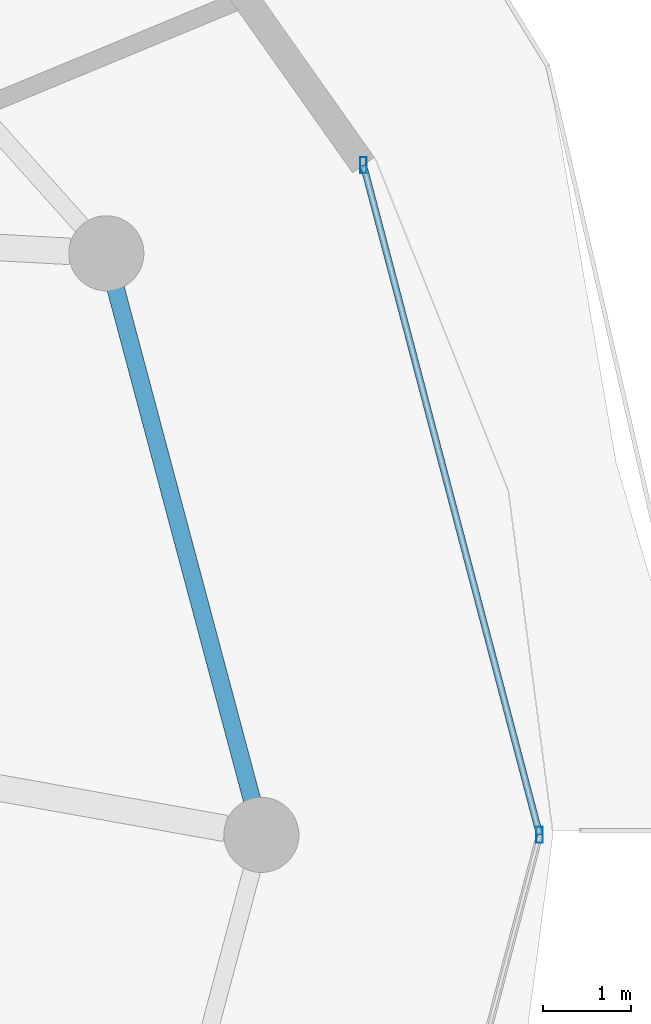
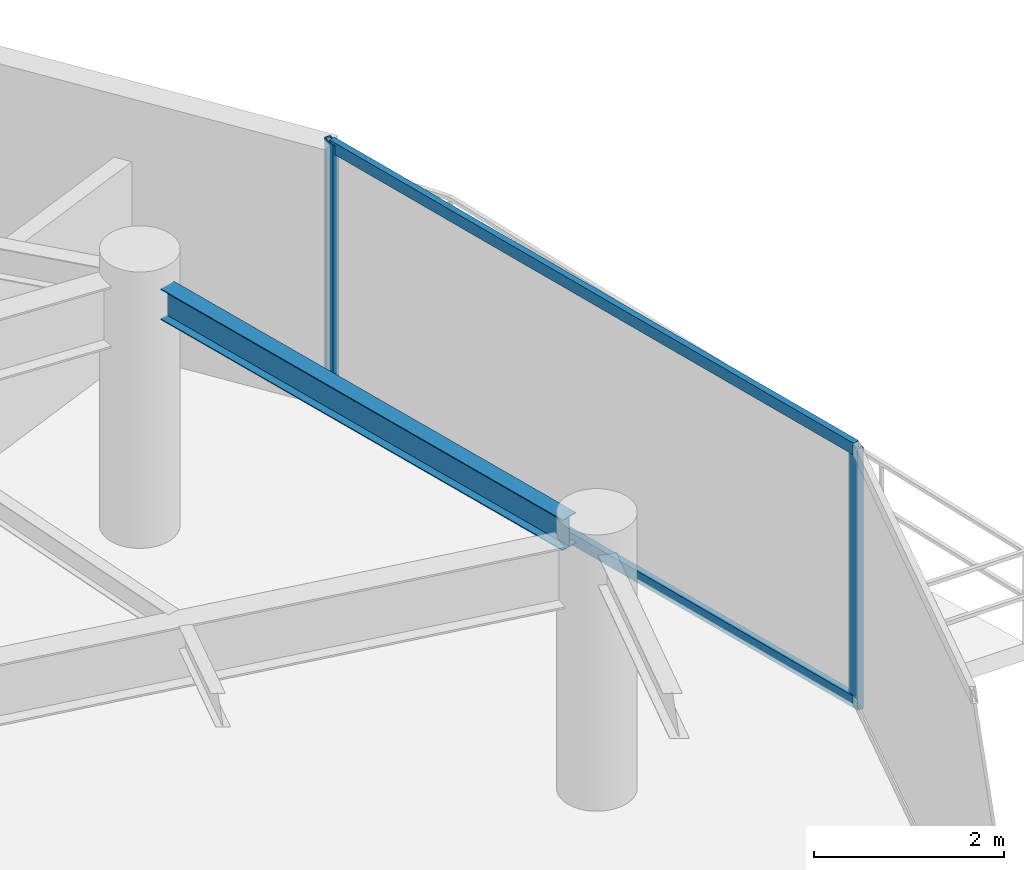
# One storey, part 15 of 31: 4 members, 1 beam, 1 element without a shape of its own.
"""IFC4 building model written with IfcOpenShell, lengths in metres."""

from ifc_helpers import new_model, si_unit, direction, frame, origin, origin_2d, place, context, subcontext, project, spatial, hollow_rectangle, i_section, extrude, material, material_profile, profile_set, type_object, element, aggregate, save


model = new_model("IFC4")

# Units and contexts
model_context = context("Model", 3, precision=1e-05, world=origin(), true_north=direction((0.0, 1.0)))
body_context = subcontext(model_context, "Body", "Model", "MODEL_VIEW")
ifc_project = project(units=[si_unit("LENGTHUNIT", "METRE"), si_unit("AREAUNIT", "SQUARE_METRE"), si_unit("VOLUMEUNIT", "CUBIC_METRE"), si_unit("PLANEANGLEUNIT", "RADIAN"), si_unit("MASSUNIT", "GRAM", prefix="KILO")], contexts=[model_context])

# Site, building, storey
site_placement = place(None, origin())
site = spatial("IfcSite", under=ifc_project, at=site_placement, CompositionType="ELEMENT")
building_placement = place(site_placement, origin())
building = spatial("IfcBuilding", under=site, at=building_placement, Name="Vorneva Point Tower", CompositionType="ELEMENT")
storey_placement = place(building_placement, frame((0.0, 0.0, 244.89990234375)))
storey = spatial("IfcBuildingStorey", under=building, at=storey_placement, Name="L66", CompositionType="ELEMENT", Elevation=244.89990234375)

# Beam
ifc_material_1 = material(Name="Steel S355", Category="steel")
ifc_material_profile_1 = material_profile(ifc_material_1, i_section(OverallWidth=0.198974609375, OverallDepth=0.39599609375, WebThickness=0.007080078125, FlangeThickness=0.010986328125, at=origin_2d()), Name="40B1")
ifc_profile_set_1 = profile_set([ifc_material_profile_1], Name="Steel S355")
beam_type = type_object("IfcBeamType", Name="BM-SPN-40B1", PredefinedType="SPANDREL", material=ifc_profile_set_1)
beam_placement = place(storey_placement, frame((60.9443359375, 26.396240234375, 3.092041015625), z_axis=(-0.257586570866, 0.966255224312, 0.0), x_axis=(-0.966255224312, -0.257586570866, 0.0)))
element("IfcBeam", 1, at=beam_placement, inside=storey, type_object=beam_type, Name="L66 Perimeter Spandrel Ring Beam 01", PredefinedType="SPANDREL", context=body_context, shape_type="SweptSolid", body=[
    extrude(i_section(OverallWidth=0.198974609375, OverallDepth=0.39599609375, WebThickness=0.007080078125, FlangeThickness=0.010986328125, at=origin_2d()), origin(), (0.0, 0.0, 1.0), 5.991943359375),
])

# Curtain wall, members
ifc_material_2 = material(Name="Pale anodised aluminium", Category="aluminium")
curtain_wall_type = type_object("IfcCurtainWallType", Name="CW-RES-SYS", PredefinedType="NOTDEFINED", material=ifc_material_2)
curtain_wall_placement = place(storey_placement, origin())
curtain_wall = element("IfcCurtainWall", 2, at=curtain_wall_placement, inside=storey, type_object=curtain_wall_type, Name="L66 Unitised Curtain Wall CW-L66-R01", PredefinedType="NOTDEFINED")
ifc_material_profile_2 = material_profile(ifc_material_2, hollow_rectangle(XDim=0.074951171875, YDim=0.179931640625, WallThickness=0.00390625, at=origin_2d()), Name="AL-MUL 180x75x4")
ifc_profile_set_2 = profile_set([ifc_material_profile_2], Name="Pale anodised aluminium")
member_type_1 = type_object("IfcMemberType", Name="CW-MUL-180", PredefinedType="MULLION", material=ifc_profile_set_2)
member_1_placement = place(storey_placement, frame((64.199951171875, 26.0, -0.039794921875), z_axis=(0.0, 0.0, 1.0), x_axis=(1.0, 0.0, 0.0)))
member_1 = element("IfcMember", 3, at=member_1_placement, type_object=member_type_1, Name="CW-L66-R01 Mullion 03", PredefinedType="MULLION", context=body_context, shape_type="SweptSolid", body=[
    extrude(hollow_rectangle(XDim=0.074951171875, YDim=0.179931640625, WallThickness=0.00390625, at=origin_2d()), origin(), (0.0, 0.0, 1.0), 3.35986328125),
])
member_2_placement = place(storey_placement, frame((62.20556640625, 33.5810546875, -0.039794921875), z_axis=(0.0, 0.0, 1.0), x_axis=(1.0, 0.0, 0.0)))
member_2 = element("IfcMember", 4, at=member_2_placement, type_object=member_type_1, Name="CW-L66-R01 Mullion 04", PredefinedType="MULLION", context=body_context, shape_type="SweptSolid", body=[
    extrude(hollow_rectangle(XDim=0.074951171875, YDim=0.179931640625, WallThickness=0.00390625, at=origin_2d()), origin(), (0.0, 0.0, 1.0), 3.35986328125),
])
ifc_material_profile_3 = material_profile(ifc_material_2, hollow_rectangle(XDim=0.074951171875, YDim=0.14990234375, WallThickness=0.00390625, at=origin_2d()), Name="AL-TRN 150x75x4")
ifc_profile_set_3 = profile_set([ifc_material_profile_3], Name="Pale anodised aluminium")
member_type_2 = type_object("IfcMemberType", Name="CW-TRN-150", PredefinedType="USERDEFINED", material=ifc_profile_set_3)
member_3_placement = place(storey_placement, frame((64.199951171875, 26.0, 0.02001953125), z_axis=(-0.254418180926, 0.967094302131, 0.0), x_axis=(-0.967094302131, -0.254418180926, 0.0)))
member_3 = element("IfcMember", 5, at=member_3_placement, type_object=member_type_2, Name="CW-L66-R01 Transom 03.1", ObjectType="TRANSOM", PredefinedType="USERDEFINED", context=body_context, shape_type="SweptSolid", body=[
    extrude(hollow_rectangle(XDim=0.074951171875, YDim=0.14990234375, WallThickness=0.00390625, at=origin_2d()), origin(), (0.0, 0.0, 1.0), 7.839111328125),
])
member_4_placement = place(storey_placement, frame((64.199951171875, 26.0, 3.27001953125), z_axis=(-0.254418180926, 0.967094302131, 0.0), x_axis=(-0.967094302131, -0.254418180926, 0.0)))
member_4 = element("IfcMember", 6, at=member_4_placement, type_object=member_type_2, Name="CW-L66-R01 Transom 03.2", ObjectType="TRANSOM", PredefinedType="USERDEFINED", context=body_context, shape_type="SweptSolid", body=[
    extrude(hollow_rectangle(XDim=0.074951171875, YDim=0.14990234375, WallThickness=0.00390625, at=origin_2d()), origin(), (0.0, 0.0, 1.0), 7.839111328125),
])
aggregate(curtain_wall, [member_1, member_2, member_3, member_4])

save(model, "model.ifc")
